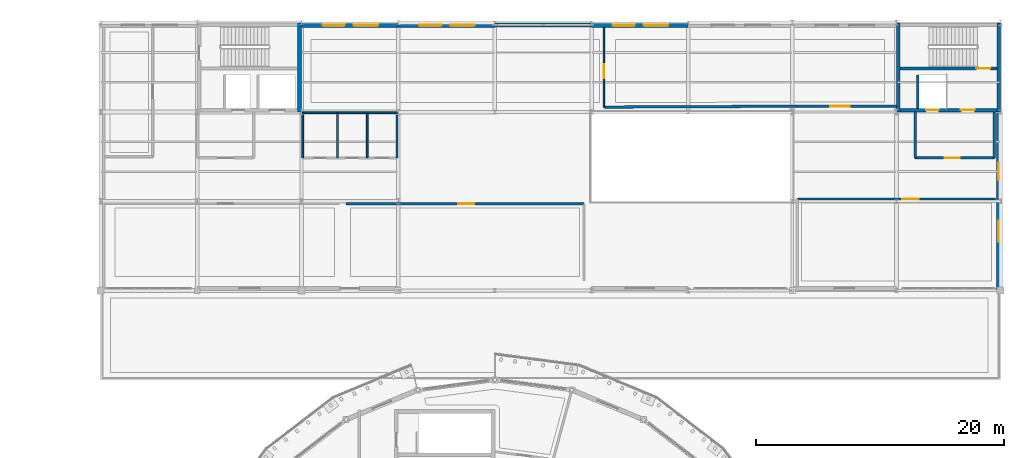
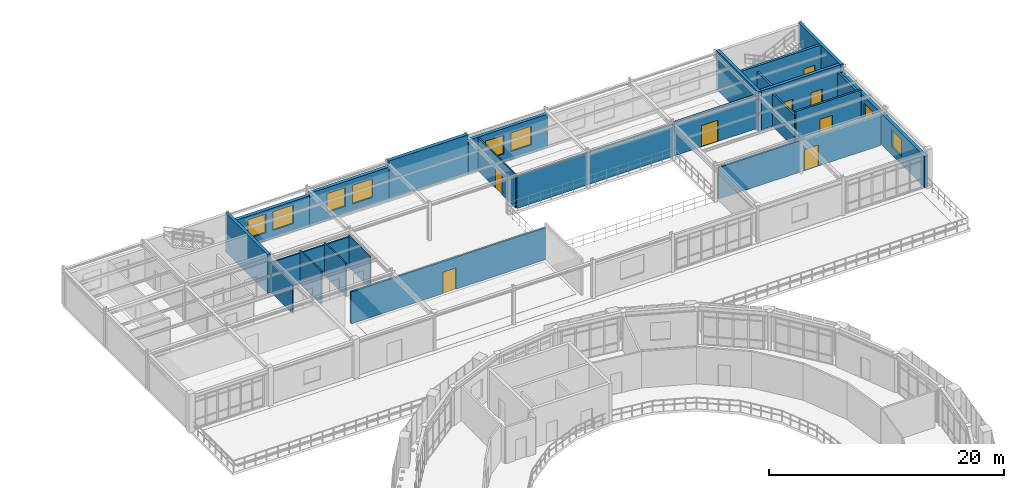
# One storey, part 48 of 58: 24 walls, 8 doors, 8 windows, 16 openings.
"""IFC4 building model written with IfcOpenShell, lengths in metres."""

from ifc_helpers import new_model, si_unit, derived_unit, direction, frame, frame_2d, origin, place, context, subcontext, project, spatial, rectangle, extrude, material, layer, layer_set, type_object, element, fill, save


model = new_model("IFC4")

# Units and contexts
model_context = context("Model", 3, precision=1e-05, world=origin(), true_north=direction((0.0, 1.0)))
body_context = subcontext(model_context, "Body", "Model", "MODEL_VIEW")
ifc_project = project(units=[si_unit("LENGTHUNIT", "METRE"), si_unit("AREAUNIT", "SQUARE_METRE"), si_unit("VOLUMEUNIT", "CUBIC_METRE"), si_unit("PLANEANGLEUNIT", "RADIAN"), si_unit("MASSUNIT", "GRAM", prefix="KILO"), derived_unit("THERMALTRANSMITTANCEUNIT", [(si_unit("POWERUNIT", "WATT"), 1), (si_unit("AREAUNIT", "SQUARE_METRE"), -1), (si_unit("THERMODYNAMICTEMPERATUREUNIT", "KELVIN"), -1)])], contexts=[model_context])

# Site, building, storey
site_placement = place(None, origin())
site = spatial("IfcSite", under=ifc_project, at=site_placement, CompositionType="ELEMENT")
building_placement = place(site_placement, origin())
building = spatial("IfcBuilding", under=site, at=building_placement, Name="Yasenodar Specialist Clinic", CompositionType="ELEMENT")
storey_placement = place(building_placement, frame((0.0, 0.0, 17.25)))
storey = spatial("IfcBuildingStorey", under=building, at=storey_placement, Name="L04", CompositionType="ELEMENT", Elevation=17.25)

# Wall, openings, windows
ifc_material_1 = material(Name="Buff Architectural Terracotta Rainscreen", Category="masonry")
ifc_layer_1 = layer(ifc_material_1, 0.340087890625)
ifc_layer_set_1 = layer_set([ifc_layer_1], Name="Buff Architectural Terracotta Rainscreen")
wall_type_1 = type_object("IfcWallType", Name="EW-TERR-340", PredefinedType="SOLIDWALL", material=ifc_layer_set_1)
wall_1_placement = place(storey_placement, frame((121.6298828125, 104.39990234375, 0.0), z_axis=(0.0, 0.0, 1.0), x_axis=(0.0, -1.0, 0.0)))
wall_1 = element("IfcWall", 1, at=wall_1_placement, inside=storey, type_object=wall_type_1, Name="L04 Exterior Facade Wall 0175", PredefinedType="SOLIDWALL", context=body_context, shape_type="SweptSolid", body=[
    extrude(rectangle(XDim=14.39990234375, YDim=0.340087890625, at=frame_2d((7.199951171875, 0.0))), origin(), (0.0, 0.0, 1.0), 3.22802734375),
])
opening_1_placement = place(wall_1_placement, frame((4.10009765625, 0.0, 0.85009765625)))
opening_1 = element("IfcOpeningElement", 2, at=opening_1_placement, cuts=wall_1, Name="Opening W-11", PredefinedType="OPENING", context=body_context, shape_type="SweptSolid", body=[
    extrude(rectangle(XDim=1.39990234375, YDim=1.64990234375, at=frame_2d((0.699951171875, 0.824951171875))), frame((0.0, 0.18017578125, 0.0), z_axis=(0.0, -1.0, 0.0), x_axis=(1.0, 0.0, 0.0)), (0.0, 0.0, 1.0), 0.360107421875),
])
opening_2_placement = place(wall_1_placement, frame((8.75, 0.0, 0.85009765625)))
opening_2 = element("IfcOpeningElement", 3, at=opening_2_placement, cuts=wall_1, Name="Opening W-12", PredefinedType="OPENING", context=body_context, shape_type="SweptSolid", body=[
    extrude(rectangle(XDim=1.699951171875, YDim=1.75, at=frame_2d((0.85009765625, 0.875))), frame((0.0, 0.18017578125, 0.0), z_axis=(0.0, -1.0, 0.0), x_axis=(1.0, 0.0, 0.0)), (0.0, 0.0, 1.0), 0.360107421875),
])
ifc_material_2 = material(Name="Triple Low-E Argon Glazing in Bronze Aluminium Frame", Category="aluminium")
window_type_1 = type_object("IfcWindowType", Name="WIN-EXT-11", PartitioningType="SINGLE_PANEL", PredefinedType="WINDOW", material=ifc_material_2)
window_1_placement = place(opening_1_placement, origin())
window_1 = element("IfcWindow", 4, at=window_1_placement, inside=storey, type_object=window_type_1, Name="L04 Triple-Glazed Reveal Window 0196", OverallHeight=1.64990234375, OverallWidth=1.39990234375, PartitioningType="SINGLE_PANEL", PredefinedType="WINDOW", context=body_context, shape_type="SweptSolid", body=[
    extrude(rectangle(XDim=1.39990234375, YDim=1.64990234375, at=frame_2d((0.699951171875, 0.824951171875))), frame((0.0, 0.030029296875, 0.0), z_axis=(0.0, -1.0, 0.0), x_axis=(1.0, 0.0, 0.0)), (0.0, 0.0, 1.0), 0.06005859375),
])
fill(opening_1, window_1)
window_type_2 = type_object("IfcWindowType", Name="WIN-EXT-12", PartitioningType="SINGLE_PANEL", PredefinedType="WINDOW", material=ifc_material_2)
window_2_placement = place(opening_2_placement, origin())
window_2 = element("IfcWindow", 5, at=window_2_placement, inside=storey, type_object=window_type_2, Name="L04 Triple-Glazed Reveal Window 0197", OverallHeight=1.75, OverallWidth=1.699951171875, PartitioningType="SINGLE_PANEL", PredefinedType="WINDOW", context=body_context, shape_type="SweptSolid", body=[
    extrude(rectangle(XDim=1.699951171875, YDim=1.75, at=frame_2d((0.85009765625, 0.875))), frame((0.0, 0.030029296875, 0.0), z_axis=(0.0, -1.0, 0.0), x_axis=(1.0, 0.0, 0.0)), (0.0, 0.0, 1.0), 0.06005859375),
])
fill(opening_2, window_2)

wall_2_placement = place(storey_placement, frame((65.39990234375, 111.39990234375, 0.0), z_axis=(0.0, 0.0, 1.0), x_axis=(1.0, 0.0, 0.0)))
wall_2 = element("IfcWall", 6, at=wall_2_placement, inside=storey, type_object=wall_type_1, Name="L04 Exterior Facade Wall 0176", PredefinedType="SOLIDWALL", context=body_context, shape_type="SweptSolid", body=[
    extrude(rectangle(XDim=7.800048828125, YDim=0.340087890625, at=frame_2d((3.89990234375, 0.0))), origin(), (0.0, 0.0, 1.0), 3.177978515625),
])
opening_3_placement = place(wall_2_placement, frame((1.699951171875, 0.0, 0.85009765625)))
opening_3 = element("IfcOpeningElement", 7, at=opening_3_placement, cuts=wall_2, Name="Opening W-05", PredefinedType="OPENING", context=body_context, shape_type="SweptSolid", body=[
    extrude(rectangle(XDim=1.800048828125, YDim=1.949951171875, at=frame_2d((0.89990234375, 0.97509765625))), frame((0.0, 0.18017578125, 0.0), z_axis=(0.0, -1.0, 0.0), x_axis=(1.0, 0.0, 0.0)), (0.0, 0.0, 1.0), 0.360107421875),
])
opening_4_placement = place(wall_2_placement, frame((4.199951171875, 0.0, 0.85009765625)))
opening_4 = element("IfcOpeningElement", 8, at=opening_4_placement, cuts=wall_2, Name="Opening W-06", PredefinedType="OPENING", context=body_context, shape_type="SweptSolid", body=[
    extrude(rectangle(XDim=2.0, YDim=1.949951171875, at=frame_2d((1.0, 0.97509765625))), frame((0.0, 0.18017578125, 0.0), z_axis=(0.0, -1.0, 0.0), x_axis=(1.0, 0.0, 0.0)), (0.0, 0.0, 1.0), 0.360107421875),
])
window_type_3 = type_object("IfcWindowType", Name="WIN-EXT-05", PartitioningType="SINGLE_PANEL", PredefinedType="WINDOW", material=ifc_material_2)
window_3_placement = place(opening_3_placement, origin())
window_3 = element("IfcWindow", 9, at=window_3_placement, inside=storey, type_object=window_type_3, Name="L04 Triple-Glazed Reveal Window 0198", OverallHeight=1.949951171875, OverallWidth=1.800048828125, PartitioningType="SINGLE_PANEL", PredefinedType="WINDOW", context=body_context, shape_type="SweptSolid", body=[
    extrude(rectangle(XDim=1.800048828125, YDim=1.949951171875, at=frame_2d((0.89990234375, 0.97509765625))), frame((0.0, 0.030029296875, 0.0), z_axis=(0.0, -1.0, 0.0), x_axis=(1.0, 0.0, 0.0)), (0.0, 0.0, 1.0), 0.06005859375),
])
fill(opening_3, window_3)
window_type_4 = type_object("IfcWindowType", Name="WIN-EXT-06", PartitioningType="SINGLE_PANEL", PredefinedType="WINDOW", material=ifc_material_2)
window_4_placement = place(opening_4_placement, origin())
window_4 = element("IfcWindow", 10, at=window_4_placement, inside=storey, type_object=window_type_4, Name="L04 Triple-Glazed Reveal Window 0199", OverallHeight=1.949951171875, OverallWidth=2.0, PartitioningType="SINGLE_PANEL", PredefinedType="WINDOW", context=body_context, shape_type="SweptSolid", body=[
    extrude(rectangle(XDim=2.0, YDim=1.949951171875, at=frame_2d((1.0, 0.97509765625))), frame((0.0, 0.030029296875, 0.0), z_axis=(0.0, -1.0, 0.0), x_axis=(1.0, 0.0, 0.0)), (0.0, 0.0, 1.0), 0.06005859375),
])
fill(opening_4, window_4)

wall_3_placement = place(storey_placement, frame((73.199951171875, 111.39990234375, 0.0), z_axis=(0.0, 0.0, 1.0), x_axis=(1.0, 0.0, 0.0)))
wall_3 = element("IfcWall", 11, at=wall_3_placement, inside=storey, type_object=wall_type_1, Name="L04 Exterior Facade Wall 0177", PredefinedType="SOLIDWALL", context=body_context, shape_type="SweptSolid", body=[
    extrude(rectangle(XDim=7.800048828125, YDim=0.340087890625, at=frame_2d((3.89990234375, 0.0))), origin(), (0.0, 0.0, 1.0), 3.43798828125),
])
opening_5_placement = place(wall_3_placement, frame((1.699951171875, 0.0, 0.85009765625)))
opening_5 = element("IfcOpeningElement", 12, at=opening_5_placement, cuts=wall_3, Name="Opening W-05", PredefinedType="OPENING", context=body_context, shape_type="SweptSolid", body=[
    extrude(rectangle(XDim=1.800048828125, YDim=1.949951171875, at=frame_2d((0.89990234375, 0.97509765625))), frame((0.0, 0.18017578125, 0.0), z_axis=(0.0, -1.0, 0.0), x_axis=(1.0, 0.0, 0.0)), (0.0, 0.0, 1.0), 0.360107421875),
])
opening_6_placement = place(wall_3_placement, frame((4.199951171875, 0.0, 0.85009765625)))
opening_6 = element("IfcOpeningElement", 13, at=opening_6_placement, cuts=wall_3, Name="Opening W-06", PredefinedType="OPENING", context=body_context, shape_type="SweptSolid", body=[
    extrude(rectangle(XDim=2.0, YDim=1.949951171875, at=frame_2d((1.0, 0.97509765625))), frame((0.0, 0.18017578125, 0.0), z_axis=(0.0, -1.0, 0.0), x_axis=(1.0, 0.0, 0.0)), (0.0, 0.0, 1.0), 0.360107421875),
])
window_5_placement = place(opening_5_placement, origin())
window_5 = element("IfcWindow", 14, at=window_5_placement, inside=storey, type_object=window_type_3, Name="L04 Triple-Glazed Reveal Window 0200", OverallHeight=1.949951171875, OverallWidth=1.800048828125, PartitioningType="SINGLE_PANEL", PredefinedType="WINDOW", context=body_context, shape_type="SweptSolid", body=[
    extrude(rectangle(XDim=1.800048828125, YDim=1.949951171875, at=frame_2d((0.89990234375, 0.97509765625))), frame((0.0, 0.030029296875, 0.0), z_axis=(0.0, -1.0, 0.0), x_axis=(1.0, 0.0, 0.0)), (0.0, 0.0, 1.0), 0.06005859375),
])
fill(opening_5, window_5)
window_6_placement = place(opening_6_placement, origin())
window_6 = element("IfcWindow", 15, at=window_6_placement, inside=storey, type_object=window_type_4, Name="L04 Triple-Glazed Reveal Window 0201", OverallHeight=1.949951171875, OverallWidth=2.0, PartitioningType="SINGLE_PANEL", PredefinedType="WINDOW", context=body_context, shape_type="SweptSolid", body=[
    extrude(rectangle(XDim=2.0, YDim=1.949951171875, at=frame_2d((1.0, 0.97509765625))), frame((0.0, 0.030029296875, 0.0), z_axis=(0.0, -1.0, 0.0), x_axis=(1.0, 0.0, 0.0)), (0.0, 0.0, 1.0), 0.06005859375),
])
fill(opening_6, window_6)

wall_4_placement = place(storey_placement, frame((88.800048828125, 111.39990234375, 0.0), z_axis=(0.0, 0.0, 1.0), x_axis=(1.0, 0.0, 0.0)))
wall_4 = element("IfcWall", 16, at=wall_4_placement, inside=storey, type_object=wall_type_1, Name="L04 Exterior Facade Wall 0178", PredefinedType="SOLIDWALL", context=body_context, shape_type="SweptSolid", body=[
    extrude(rectangle(XDim=7.800048828125, YDim=0.340087890625, at=frame_2d((3.89990234375, 0.0))), origin(), (0.0, 0.0, 1.0), 3.488037109375),
])
opening_7_placement = place(wall_4_placement, frame((1.699951171875, 0.0, 0.85009765625)))
opening_7 = element("IfcOpeningElement", 17, at=opening_7_placement, cuts=wall_4, Name="Opening W-05", PredefinedType="OPENING", context=body_context, shape_type="SweptSolid", body=[
    extrude(rectangle(XDim=1.800048828125, YDim=1.949951171875, at=frame_2d((0.89990234375, 0.97509765625))), frame((0.0, 0.18017578125, 0.0), z_axis=(0.0, -1.0, 0.0), x_axis=(1.0, 0.0, 0.0)), (0.0, 0.0, 1.0), 0.360107421875),
])
opening_8_placement = place(wall_4_placement, frame((4.199951171875, 0.0, 0.85009765625)))
opening_8 = element("IfcOpeningElement", 18, at=opening_8_placement, cuts=wall_4, Name="Opening W-06", PredefinedType="OPENING", context=body_context, shape_type="SweptSolid", body=[
    extrude(rectangle(XDim=2.0, YDim=1.949951171875, at=frame_2d((1.0, 0.97509765625))), frame((0.0, 0.18017578125, 0.0), z_axis=(0.0, -1.0, 0.0), x_axis=(1.0, 0.0, 0.0)), (0.0, 0.0, 1.0), 0.360107421875),
])
window_7_placement = place(opening_7_placement, origin())
window_7 = element("IfcWindow", 19, at=window_7_placement, inside=storey, type_object=window_type_3, Name="L04 Triple-Glazed Reveal Window 0202", OverallHeight=1.949951171875, OverallWidth=1.800048828125, PartitioningType="SINGLE_PANEL", PredefinedType="WINDOW", context=body_context, shape_type="SweptSolid", body=[
    extrude(rectangle(XDim=1.800048828125, YDim=1.949951171875, at=frame_2d((0.89990234375, 0.97509765625))), frame((0.0, 0.030029296875, 0.0), z_axis=(0.0, -1.0, 0.0), x_axis=(1.0, 0.0, 0.0)), (0.0, 0.0, 1.0), 0.06005859375),
])
fill(opening_7, window_7)
window_8_placement = place(opening_8_placement, origin())
window_8 = element("IfcWindow", 20, at=window_8_placement, inside=storey, type_object=window_type_4, Name="L04 Triple-Glazed Reveal Window 0203", OverallHeight=1.949951171875, OverallWidth=2.0, PartitioningType="SINGLE_PANEL", PredefinedType="WINDOW", context=body_context, shape_type="SweptSolid", body=[
    extrude(rectangle(XDim=2.0, YDim=1.949951171875, at=frame_2d((1.0, 0.97509765625))), frame((0.0, 0.030029296875, 0.0), z_axis=(0.0, -1.0, 0.0), x_axis=(1.0, 0.0, 0.0)), (0.0, 0.0, 1.0), 0.06005859375),
])
fill(opening_8, window_8)

# Wall, opening, door
ifc_material_3 = material(Name="Cleanroom Laboratory Partition")
ifc_layer_2 = layer(ifc_material_3, 0.169921875)
ifc_layer_set_2 = layer_set([ifc_layer_2], Name="Cleanroom Laboratory Partition")
wall_type_2 = type_object("IfcWallType", Name="IW-LAB-170", PredefinedType="PARTITIONING", material=ifc_layer_set_2)
wall_5_placement = place(storey_placement, frame((105.39990234375, 97.39990234375, 0.0), z_axis=(0.0, 0.0, 1.0), x_axis=(1.0, 0.0, 0.0)))
wall_5 = element("IfcWall", 21, at=wall_5_placement, inside=storey, type_object=wall_type_2, Name="L04 Bioinformatics Analysis Room Partition", PredefinedType="PARTITIONING", context=body_context, shape_type="SweptSolid", body=[
    extrude(rectangle(XDim=16.0, YDim=0.169921875, at=frame_2d((8.0, 0.0))), origin(), (0.0, 0.0, 1.0), 3.26806640625),
])
opening_9_placement = place(wall_5_placement, frame((8.449951171875, 0.0, 0.0)))
opening_9 = element("IfcOpeningElement", 22, at=opening_9_placement, cuts=wall_5, Name="Opening D-11", PredefinedType="OPENING", context=body_context, shape_type="SweptSolid", body=[
    extrude(rectangle(XDim=1.360107421875, YDim=2.199951171875, at=frame_2d((0.68017578125, 1.10009765625))), frame((0.0, 0.094970703125, 0.0), z_axis=(0.0, -1.0, 0.0), x_axis=(1.0, 0.0, 0.0)), (0.0, 0.0, 1.0), 0.18994140625),
])
ifc_material_4 = material(Name="Powder-Coated Steel and Acoustic Laminate Leaf", Category="steel")
door_type_1 = type_object("IfcDoorType", Name="DR-PLT-136", OperationType="NOTDEFINED", PredefinedType="DOOR", material=ifc_material_4)
door_1_placement = place(opening_9_placement, origin())
door_1 = element("IfcDoor", 23, at=door_1_placement, inside=storey, type_object=door_type_1, Name="L04 Bioinformatics Analysis Room Door", OperationType="SINGLE_SWING_RIGHT", OverallHeight=2.199951171875, OverallWidth=1.360107421875, PredefinedType="DOOR", context=body_context, shape_type="SweptSolid", body=[
    extrude(rectangle(XDim=1.360107421875, YDim=2.199951171875, at=frame_2d((0.68017578125, 1.10009765625))), frame((0.0, 0.02490234375, 0.0), z_axis=(0.0, -1.0, 0.0), x_axis=(1.0, 0.0, 0.0)), (0.0, 0.0, 1.0), 0.050048828125),
])
fill(opening_9, door_1)

ifc_material_5 = material(Name="Fire-Rated Gypsum and Mineral-Wool Wall")
ifc_layer_3 = layer(ifc_material_5, 0.195068359375)
ifc_layer_set_3 = layer_set([ifc_layer_3], Name="Fire-Rated Gypsum and Mineral-Wool Wall")
wall_type_3 = type_object("IfcWallType", Name="IW-LOBBY-195", PredefinedType="PARTITIONING", material=ifc_layer_set_3)
wall_6_placement = place(storey_placement, frame((114.89990234375, 100.699951171875, 0.0), z_axis=(0.0, 0.0, 1.0), x_axis=(1.0, 0.0, 0.0)))
wall_6 = element("IfcWall", 24, at=wall_6_placement, inside=storey, type_object=wall_type_3, Name="L04 C5 Firefighting Lobby South Wall", PredefinedType="PARTITIONING", context=body_context, shape_type="SweptSolid", body=[
    extrude(rectangle(XDim=6.400146484375, YDim=0.195068359375, at=frame_2d((3.2001953125, 0.0))), origin(), (0.0, 0.0, 1.0), 3.780029296875),
])
opening_10_placement = place(wall_6_placement, frame((2.39990234375, 0.0, 0.0)))
opening_10 = element("IfcOpeningElement", 25, at=opening_10_placement, cuts=wall_6, Name="Opening FD-02", PredefinedType="OPENING", context=body_context, shape_type="SweptSolid", body=[
    extrude(rectangle(XDim=1.199951171875, YDim=2.14990234375, at=frame_2d((0.60009765625, 1.074951171875))), frame((0.0, 0.107421875, 0.0), z_axis=(0.0, -1.0, 0.0), x_axis=(1.0, 0.0, 0.0)), (0.0, 0.0, 1.0), 0.215087890625),
])
ifc_material_6 = material(Name="Fire-Rated Insulated Steel Door", Category="steel")
door_type_2 = type_object("IfcDoorType", Name="DR-FD-120", OperationType="NOTDEFINED", PredefinedType="DOOR", material=ifc_material_6)
door_2_placement = place(opening_10_placement, origin())
door_2 = element("IfcDoor", 26, at=door_2_placement, inside=storey, type_object=door_type_2, Name="L04 C5 Firefighting Lobby Door", OperationType="SINGLE_SWING_RIGHT", OverallHeight=2.14990234375, OverallWidth=1.199951171875, PredefinedType="DOOR", context=body_context, shape_type="SweptSolid", body=[
    extrude(rectangle(XDim=1.199951171875, YDim=2.14990234375, at=frame_2d((0.60009765625, 1.074951171875))), frame((0.0, 0.02490234375, 0.0), z_axis=(0.0, -1.0, 0.0), x_axis=(1.0, 0.0, 0.0)), (0.0, 0.0, 1.0), 0.050048828125),
])
fill(opening_10, door_2)

# Walls
for number, where, z_axis, x_axis, name in (
    (27, (121.300048828125, 100.699951171875, 0.0), (0.0, 0.0, 1.0), (0.0, 1.0, 0.0), "L04 C5 Firefighting Lobby East Wall"),
    (28, (114.89990234375, 100.699951171875, 0.0), (0.0, 0.0, 1.0), (0.0, 1.0, 0.0), "L04 C5 Firefighting Lobby West Wall"),
):
    element("IfcWall", number, at=place(storey_placement, frame(where, z_axis=z_axis, x_axis=x_axis)), inside=storey, type_object=wall_type_3, Name=name, PredefinedType="PARTITIONING", context=body_context, shape_type="SweptSolid", body=[
        extrude(rectangle(XDim=3.699951171875, YDim=0.195068359375, at=frame_2d((1.85009765625, 0.0))), origin(), (0.0, 0.0, 1.0), 3.3779296875),
    ])

# Wall, opening, door
ifc_material_7 = material(Name="Clinical Sub-Division Partition")
ifc_layer_4 = layer(ifc_material_7, 0.125)
ifc_layer_set_4 = layer_set([ifc_layer_4], Name="Clinical Sub-Division Partition")
wall_type_4 = type_object("IfcWallType", Name="IW-PART-125", PredefinedType="PARTITIONING", material=ifc_layer_set_4)
wall_7_placement = place(storey_placement, frame((89.800048828125, 111.25, 0.0), z_axis=(0.0, 0.0, 1.0), x_axis=(0.0, -1.0, 0.0)))
wall_7 = element("IfcWall", 29, at=wall_7_placement, inside=storey, type_object=wall_type_4, Name="L04 Biobank Cryopreservation Suite Partition", PredefinedType="PARTITIONING", context=body_context, shape_type="SweptSolid", body=[
    extrude(rectangle(XDim=6.449951171875, YDim=0.125, at=frame_2d((3.22509765625, 0.0))), origin(), (0.0, 0.0, 1.0), 3.47802734375),
])
opening_11_placement = place(wall_7_placement, frame((3.0, 0.0, 0.0)))
opening_11 = element("IfcOpeningElement", 30, at=opening_11_placement, cuts=wall_7, Name="Opening D-05", PredefinedType="OPENING", context=body_context, shape_type="SweptSolid", body=[
    extrude(rectangle(XDim=1.1201171875, YDim=2.179931640625, at=frame_2d((0.56005859375, 1.08984375))), frame((0.0, 0.072509765625, 0.0), z_axis=(0.0, -1.0, 0.0), x_axis=(1.0, 0.0, 0.0)), (0.0, 0.0, 1.0), 0.14501953125),
])
door_type_3 = type_object("IfcDoorType", Name="DR-CLN-112", OperationType="NOTDEFINED", PredefinedType="DOOR", material=ifc_material_4)
door_3_placement = place(opening_11_placement, origin())
door_3 = element("IfcDoor", 31, at=door_3_placement, inside=storey, type_object=door_type_3, Name="L04 Biobank Cryopreservation Suite Door", OperationType="SINGLE_SWING_LEFT", OverallHeight=2.179931640625, OverallWidth=1.1201171875, PredefinedType="DOOR", context=body_context, shape_type="SweptSolid", body=[
    extrude(rectangle(XDim=1.1201171875, YDim=2.179931640625, at=frame_2d((0.56005859375, 1.08984375))), frame((0.0, 0.02490234375, 0.0), z_axis=(0.0, -1.0, 0.0), x_axis=(1.0, 0.0, 0.0)), (0.0, 0.0, 1.0), 0.050048828125),
])
fill(opening_11, door_3)

ifc_material_8 = material(Name="Hygienic Double-Stud Clinical Partition")
ifc_layer_5 = layer(ifc_material_8, 0.179931640625)
ifc_layer_set_5 = layer_set([ifc_layer_5], Name="Hygienic Double-Stud Clinical Partition")
wall_type_5 = type_object("IfcWallType", Name="IW-PROC-180", PredefinedType="PARTITIONING", material=ifc_layer_set_5)
wall_8_placement = place(storey_placement, frame((69.0, 97.0, 0.0), z_axis=(0.0, 0.0, 1.0), x_axis=(1.0, 0.0, 0.0)))
wall_8 = element("IfcWall", 32, at=wall_8_placement, inside=storey, type_object=wall_type_5, Name="L04 Clinical Genomics Sequencing Laboratory Partition", PredefinedType="PARTITIONING", context=body_context, shape_type="SweptSolid", body=[
    extrude(rectangle(XDim=19.199951171875, YDim=0.179931640625, at=frame_2d((9.60009765625, 0.0))), origin(), (0.0, 0.0, 1.0), 3.318115234375),
])
opening_12_placement = place(wall_8_placement, frame((9.050048828125, 0.0, 0.0)))
opening_12 = element("IfcOpeningElement", 33, at=opening_12_placement, cuts=wall_8, Name="Opening D-08", PredefinedType="OPENING", context=body_context, shape_type="SweptSolid", body=[
    extrude(rectangle(XDim=1.280029296875, YDim=2.219970703125, at=frame_2d((0.64013671875, 1.10986328125))), frame((0.0, 0.10009765625, 0.0), z_axis=(0.0, -1.0, 0.0), x_axis=(1.0, 0.0, 0.0)), (0.0, 0.0, 1.0), 0.199951171875),
])
door_type_4 = type_object("IfcDoorType", Name="DR-CLN-128", OperationType="NOTDEFINED", PredefinedType="DOOR", material=ifc_material_4)
door_4_placement = place(opening_12_placement, origin())
door_4 = element("IfcDoor", 34, at=door_4_placement, inside=storey, type_object=door_type_4, Name="L04 Clinical Genomics Sequencing Laboratory Door", OperationType="SINGLE_SWING_LEFT", OverallHeight=2.219970703125, OverallWidth=1.280029296875, PredefinedType="DOOR", context=body_context, shape_type="SweptSolid", body=[
    extrude(rectangle(XDim=1.280029296875, YDim=2.219970703125, at=frame_2d((0.64013671875, 1.10986328125))), frame((0.0, 0.02490234375, 0.0), z_axis=(0.0, -1.0, 0.0), x_axis=(1.0, 0.0, 0.0)), (0.0, 0.0, 1.0), 0.050048828125),
])
fill(opening_12, door_4)

# Wall
ifc_material_9 = material(Name="Aerated Concrete Blockwork Fire Shaft Wall", Category="masonry")
ifc_layer_6 = layer(ifc_material_9, 0.205078125)
ifc_layer_set_6 = layer_set([ifc_layer_6], Name="Aerated Concrete Blockwork Fire Shaft Wall")
wall_type_6 = type_object("IfcWallType", Name="IW-SHAFT-205", PredefinedType="PARTITIONING", material=ifc_layer_set_6)
wall_9_placement = place(storey_placement, frame((115.10009765625, 104.699951171875, 0.0), z_axis=(0.0, 0.0, 1.0), x_axis=(0.0, 1.0, 0.0)))
element("IfcWall", 35, at=wall_9_placement, inside=storey, type_object=wall_type_6, Name="L04 LF-08 Lift Shaft Side Wall", PredefinedType="PARTITIONING", context=body_context, shape_type="SweptSolid", body=[
    extrude(rectangle(XDim=2.699951171875, YDim=0.205078125, at=frame_2d((1.35009765625, 0.0))), origin(), (0.0, 0.0, 1.0), 3.780029296875),
])

# Wall, opening, door
wall_10_placement = place(storey_placement, frame((113.419921875, 104.8701171875, 0.0), z_axis=(0.0, 0.0, 1.0), x_axis=(-1.0, 0.0, 0.0)))
wall_10 = element("IfcWall", 36, at=wall_10_placement, inside=storey, type_object=wall_type_6, Name="L04 Cleanroom AHU Plant Room Partition", PredefinedType="PARTITIONING", context=body_context, shape_type="SweptSolid", body=[
    extrude(rectangle(XDim=8.0400390625, YDim=0.205078125, at=frame_2d((4.02001953125, 0.0))), origin(), (0.0, 0.0, 1.0), 3.47802734375),
])
opening_13_placement = place(wall_10_placement, frame((3.780029296875, 0.0, 0.0)))
opening_13 = element("IfcOpeningElement", 37, at=opening_13_placement, cuts=wall_10, Name="Opening FD-04", PredefinedType="OPENING", context=body_context, shape_type="SweptSolid", body=[
    extrude(rectangle(XDim=1.60009765625, YDim=2.199951171875, at=frame_2d((0.800048828125, 1.10009765625))), frame((0.0, 0.112548828125, 0.0), z_axis=(0.0, -1.0, 0.0), x_axis=(1.0, 0.0, 0.0)), (0.0, 0.0, 1.0), 0.22509765625),
])
door_type_5 = type_object("IfcDoorType", Name="DR-FD-160", OperationType="DOUBLE_DOOR_SINGLE_SWING", PredefinedType="DOOR", material=ifc_material_6)
door_5_placement = place(opening_13_placement, origin())
door_5 = element("IfcDoor", 38, at=door_5_placement, inside=storey, type_object=door_type_5, Name="L04 Cleanroom AHU Plant Room Door", OperationType="DOUBLE_DOOR_SINGLE_SWING", OverallHeight=2.199951171875, OverallWidth=1.60009765625, PredefinedType="DOOR", context=body_context, shape_type="SweptSolid", body=[
    extrude(rectangle(XDim=1.60009765625, YDim=2.199951171875, at=frame_2d((0.800048828125, 1.10009765625))), frame((0.0, 0.02490234375, 0.0), z_axis=(0.0, -1.0, 0.0), x_axis=(1.0, 0.0, 0.0)), (0.0, 0.0, 1.0), 0.050048828125),
])
fill(opening_13, door_5)

# Walls
wall_11_placement = place(storey_placement, frame((105.3798828125, 104.8701171875, 0.0), z_axis=(0.0, 0.0, 1.0), x_axis=(-0.999989037202, -0.004682464655, 0.0)))
element("IfcWall", 39, at=wall_11_placement, inside=storey, type_object=wall_type_6, Name="L04 Cleanroom AHU Plant Room Partition", PredefinedType="PARTITIONING", context=body_context, shape_type="SweptSolid", body=[
    extrude(rectangle(XDim=15.53759765625, YDim=0.205078125, at=frame_2d((7.768798828125, 0.0))), origin(), (0.0, 0.0, 1.0), 3.327880859375),
])
ifc_material_10 = material(Name="Moisture-Resistant Sanitary Partition")
ifc_layer_7 = layer(ifc_material_10, 0.139892578125)
ifc_layer_set_7 = layer_set([ifc_layer_7], Name="Moisture-Resistant Sanitary Partition")
wall_type_7 = type_object("IfcWallType", Name="IW-WET-140", PredefinedType="PARTITIONING", material=ifc_layer_set_7)
wall_12_placement = place(storey_placement, frame((65.5, 100.699951171875, 0.0), z_axis=(0.0, 0.0, 1.0), x_axis=(0.0, 1.0, 0.0)))
element("IfcWall", 40, at=wall_12_placement, inside=storey, type_object=wall_type_7, Name="L04 North Sanitary Block West Wall", PredefinedType="PARTITIONING", context=body_context, shape_type="SweptSolid", body=[
    extrude(rectangle(XDim=3.679931640625, YDim=0.139892578125, at=frame_2d((1.83984375, 0.0))), origin(), (0.0, 0.0, 1.0), 3.177978515625),
])
wall_13_placement = place(storey_placement, frame((65.39990234375, 104.35009765625, 0.0), z_axis=(0.0, 0.0, 1.0), x_axis=(1.0, 0.0, 0.0)))
element("IfcWall", 41, at=wall_13_placement, inside=storey, type_object=wall_type_7, Name="L04 North Sanitary Block North Wall", PredefinedType="PARTITIONING", context=body_context, shape_type="SweptSolid", body=[
    extrude(rectangle(XDim=7.7001953125, YDim=0.139892578125, at=frame_2d((3.85009765625, 0.0))), origin(), (0.0, 0.0, 1.0), 3.177978515625),
])
wall_14_placement = place(storey_placement, frame((73.10009765625, 100.699951171875, 0.0), z_axis=(0.0, 0.0, 1.0), x_axis=(0.0, 1.0, 0.0)))
element("IfcWall", 42, at=wall_14_placement, inside=storey, type_object=wall_type_7, Name="L04 North Sanitary Block East Wall", PredefinedType="PARTITIONING", context=body_context, shape_type="SweptSolid", body=[
    extrude(rectangle(XDim=3.650146484375, YDim=0.139892578125, at=frame_2d((1.8251953125, 0.0))), origin(), (0.0, 0.0, 1.0), 3.367919921875),
])
for number, where, z_axis, x_axis, name in (
    (43, (68.300048828125, 100.699951171875, 0.0), (0.0, 0.0, 1.0), (0.0, 1.0, 0.0), "L04 North Accessible WC Divider Wall"),
    (44, (70.699951171875, 100.699951171875, 0.0), (0.0, 0.0, 1.0), (0.0, 1.0, 0.0), "L04 North Patient and Staff WC Divider Wall"),
):
    element("IfcWall", number, at=place(storey_placement, frame(where, z_axis=z_axis, x_axis=x_axis)), inside=storey, type_object=wall_type_7, Name=name, PredefinedType="PARTITIONING", context=body_context, shape_type="SweptSolid", body=[
        extrude(rectangle(XDim=3.650146484375, YDim=0.139892578125, at=frame_2d((1.8251953125, 0.0))), origin(), (0.0, 0.0, 1.0), 3.447998046875),
    ])

# Wall, opening, door
ifc_material_11 = material(Name="Concrete C35/45", Category="concrete")
ifc_layer_8 = layer(ifc_material_11, 0.25)
ifc_layer_set_8 = layer_set([ifc_layer_8], Name="Concrete C35/45")
wall_type_8 = type_object("IfcWallType", Name="WL-CORE-250", PredefinedType="SHEAR", material=ifc_layer_set_8)
wall_15_placement = place(storey_placement, frame((113.699951171875, 107.89990234375, 0.0), z_axis=(0.0, 0.0, 1.0), x_axis=(1.0, 0.0, 0.0)))
wall_15 = element("IfcWall", 45, at=wall_15_placement, inside=storey, type_object=wall_type_8, Name="L04 Core C5 Central Spine Wall", PredefinedType="SHEAR", context=body_context, shape_type="SweptSolid", body=[
    extrude(rectangle(XDim=7.800048828125, YDim=0.25, at=frame_2d((3.89990234375, 0.0))), origin(), (0.0, 0.0, 1.0), 4.050048828125),
])
opening_14_placement = place(wall_15_placement, frame((6.14990234375, 0.0, 0.0)))
opening_14 = element("IfcOpeningElement", 46, at=opening_14_placement, cuts=wall_15, Name="Opening FD-01", PredefinedType="OPENING", context=body_context, shape_type="SweptSolid", body=[
    extrude(rectangle(XDim=1.10009765625, YDim=2.14990234375, at=frame_2d((0.550048828125, 1.074951171875))), frame((0.0, 0.135009765625, 0.0), z_axis=(0.0, -1.0, 0.0), x_axis=(1.0, 0.0, 0.0)), (0.0, 0.0, 1.0), 0.27001953125),
])
door_type_6 = type_object("IfcDoorType", Name="DR-FD-110", OperationType="NOTDEFINED", PredefinedType="DOOR", material=ifc_material_6)
door_6_placement = place(opening_14_placement, origin())
door_6 = element("IfcDoor", 47, at=door_6_placement, inside=storey, type_object=door_type_6, Name="L04 ST-05 Protected Stair Door", OperationType="SINGLE_SWING_RIGHT", OverallHeight=2.14990234375, OverallWidth=1.10009765625, PredefinedType="DOOR", context=body_context, shape_type="SweptSolid", body=[
    extrude(rectangle(XDim=1.10009765625, YDim=2.14990234375, at=frame_2d((0.550048828125, 1.074951171875))), frame((0.0, 0.02490234375, 0.0), z_axis=(0.0, -1.0, 0.0), x_axis=(1.0, 0.0, 0.0)), (0.0, 0.0, 1.0), 0.050048828125),
])
fill(opening_14, door_6)

# Wall
ifc_layer_9 = layer(ifc_material_11, 0.300048828125)
ifc_layer_set_9 = layer_set([ifc_layer_9], Name="Concrete C35/45")
wall_type_9 = type_object("IfcWallType", Name="WL-CORE-300", PredefinedType="SHEAR", material=ifc_layer_set_9)
wall_16_placement = place(storey_placement, frame((65.25, 104.39990234375, 0.0), z_axis=(0.0, 0.0, 1.0), x_axis=(0.0, 1.0, 0.0)))
element("IfcWall", 48, at=wall_16_placement, inside=storey, type_object=wall_type_9, Name="L04 Core C4 East Shear Wall", PredefinedType="SHEAR", context=body_context, shape_type="SweptSolid", body=[
    extrude(rectangle(XDim=7.2001953125, YDim=0.300048828125, at=frame_2d((3.60009765625, 0.0))), origin(), (0.0, 0.0, 1.0), 4.050048828125),
])

# Wall, openings, doors
wall_17_placement = place(storey_placement, frame((113.39990234375, 104.550048828125, 0.0), z_axis=(0.0, 0.0, 1.0), x_axis=(1.0, 0.0, 0.0)))
wall_17 = element("IfcWall", 49, at=wall_17_placement, inside=storey, type_object=wall_type_9, Name="L04 Core C5 South Shear Wall", PredefinedType="SHEAR", context=body_context, shape_type="SweptSolid", body=[
    extrude(rectangle(XDim=8.400146484375, YDim=0.300048828125, at=frame_2d((4.2001953125, 0.0))), origin(), (0.0, 0.0, 1.0), 4.050048828125),
])
opening_15_placement = place(wall_17_placement, frame((5.199951171875, 0.0, 0.0)))
opening_15 = element("IfcOpeningElement", 50, at=opening_15_placement, cuts=wall_17, Name="Opening FD-01", PredefinedType="OPENING", context=body_context, shape_type="SweptSolid", body=[
    extrude(rectangle(XDim=1.10009765625, YDim=2.14990234375, at=frame_2d((0.550048828125, 1.074951171875))), frame((0.0, 0.16015625, 0.0), z_axis=(0.0, -1.0, 0.0), x_axis=(1.0, 0.0, 0.0)), (0.0, 0.0, 1.0), 0.320068359375),
])
opening_16_placement = place(wall_17_placement, frame((2.39990234375, 0.0, 0.0)))
opening_16 = element("IfcOpeningElement", 51, at=opening_16_placement, cuts=wall_17, Name="Opening LD-01", PredefinedType="OPENING", context=body_context, shape_type="SweptSolid", body=[
    extrude(rectangle(XDim=1.0, YDim=2.10009765625, at=frame_2d((0.5, 1.050048828125))), frame((0.0, 0.16015625, 0.0), z_axis=(0.0, -1.0, 0.0), x_axis=(1.0, 0.0, 0.0)), (0.0, 0.0, 1.0), 0.320068359375),
])
door_7_placement = place(opening_15_placement, origin())
door_7 = element("IfcDoor", 52, at=door_7_placement, inside=storey, type_object=door_type_6, Name="L04 Stair ST-05 Vestibule Door", OperationType="SINGLE_SWING_LEFT", OverallHeight=2.14990234375, OverallWidth=1.10009765625, PredefinedType="DOOR", context=body_context, shape_type="SweptSolid", body=[
    extrude(rectangle(XDim=1.10009765625, YDim=2.14990234375, at=frame_2d((0.550048828125, 1.074951171875))), frame((0.0, 0.02490234375, 0.0), z_axis=(0.0, -1.0, 0.0), x_axis=(1.0, 0.0, 0.0)), (0.0, 0.0, 1.0), 0.050048828125),
])
fill(opening_15, door_7)
door_type_7 = type_object("IfcDoorType", Name="DR-LD-100", OperationType="DOUBLE_DOOR_SLIDING", PredefinedType="DOOR", material=ifc_material_6)
door_8_placement = place(opening_16_placement, origin())
door_8 = element("IfcDoor", 53, at=door_8_placement, inside=storey, type_object=door_type_7, Name="L04 LF-08 Lift Landing Door", OperationType="DOUBLE_DOOR_SLIDING", OverallHeight=2.10009765625, OverallWidth=1.0, PredefinedType="DOOR", context=body_context, shape_type="SweptSolid", body=[
    extrude(rectangle(XDim=1.0, YDim=2.10009765625, at=frame_2d((0.5, 1.050048828125))), frame((0.0, 0.02490234375, 0.0), z_axis=(0.0, -1.0, 0.0), x_axis=(1.0, 0.0, 0.0)), (0.0, 0.0, 1.0), 0.050048828125),
])
fill(opening_16, door_8)

# Walls
for number, where, z_axis, x_axis, name in (
    (54, (113.550048828125, 104.39990234375, 0.0), (0.0, 0.0, 1.0), (0.0, 1.0, 0.0), "L04 Core C5 West Shear Wall"),
    (55, (121.64990234375, 111.60009765625, 0.0), (0.0, 0.0, 1.0), (0.0, -1.0, 0.0), "L04 Core C5 East Shear Wall"),
):
    element("IfcWall", number, at=place(storey_placement, frame(where, z_axis=z_axis, x_axis=x_axis)), inside=storey, type_object=wall_type_9, Name=name, PredefinedType="SHEAR", context=body_context, shape_type="SweptSolid", body=[
        extrude(rectangle(XDim=7.2001953125, YDim=0.300048828125, at=frame_2d((3.60009765625, 0.0))), origin(), (0.0, 0.0, 1.0), 4.050048828125),
    ])
ifc_layer_10 = layer(ifc_material_11, 0.35009765625)
ifc_layer_set_10 = layer_set([ifc_layer_10], Name="Concrete C35/45")
wall_type_10 = type_object("IfcWallType", Name="WL-PARTY-350", PredefinedType="SHEAR", material=ifc_layer_set_10)
wall_18_placement = place(storey_placement, frame((81.0, 111.425048828125, 0.0), z_axis=(0.0, 0.0, 1.0), x_axis=(1.0, 0.0, 0.0)))
element("IfcWall", 56, at=wall_18_placement, inside=storey, type_object=wall_type_10, Name="L04 Northern Party Wall Segment 1", PredefinedType="SHEAR", context=body_context, shape_type="SweptSolid", body=[
    extrude(rectangle(XDim=7.800048828125, YDim=0.35009765625, at=frame_2d((3.89990234375, 0.0))), origin(), (0.0, 0.0, 1.0), 4.050048828125),
])

save(model, "model.ifc")
